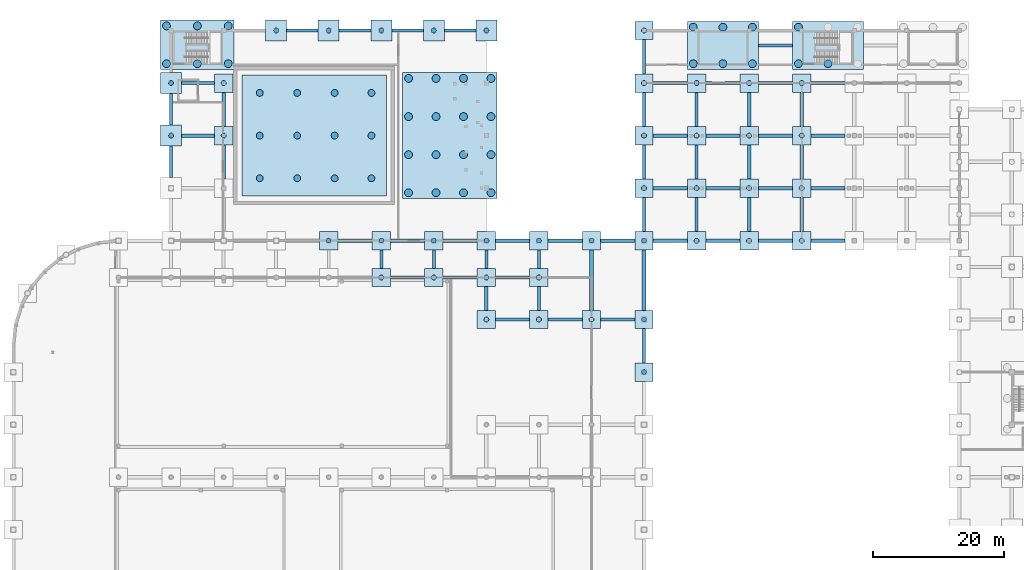
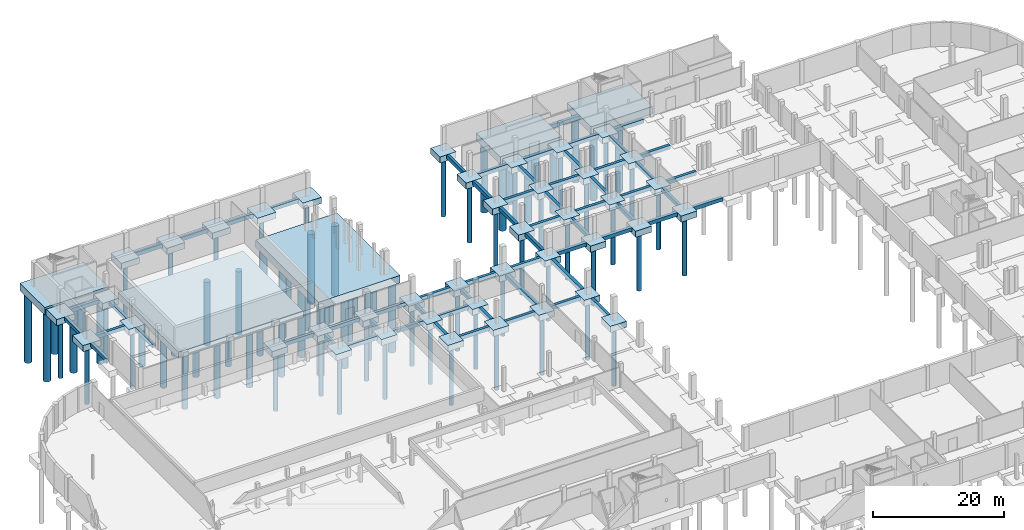
# One storey, part 2 of 29: 107 footings, 84 piles.
"""IFC4 building model written with IfcOpenShell, lengths in metres."""

from ifc_helpers import new_model, si_unit, direction, frame, origin, origin_2d, place, context, subcontext, project, spatial, rectangle, circle, extrude, material, material_profile, profile_set, type_object, element, save


model = new_model("IFC4")

# Units and contexts
model_context = context("Model", 3, precision=1e-05, world=origin(), true_north=direction((0.0, 1.0)))
body_context = subcontext(model_context, "Body", "Model", "MODEL_VIEW")
ifc_project = project(units=[si_unit("LENGTHUNIT", "METRE"), si_unit("AREAUNIT", "SQUARE_METRE"), si_unit("VOLUMEUNIT", "CUBIC_METRE"), si_unit("PLANEANGLEUNIT", "RADIAN"), si_unit("MASSUNIT", "GRAM", prefix="KILO")], contexts=[model_context])

# Site, building, storey
site_placement = place(None, origin())
site = spatial("IfcSite", under=ifc_project, at=site_placement, CompositionType="ELEMENT")
building_placement = place(site_placement, origin())
building = spatial("IfcBuilding", under=site, at=building_placement, Name="Drelvana Railside Aquatics Centre", CompositionType="ELEMENT")
storey_placement = place(building_placement, frame((0.0, 0.0, -4.800048828125)))
storey = spatial("IfcBuildingStorey", under=building, at=storey_placement, Name="B1", CompositionType="ELEMENT", Elevation=-4.800048828125)

# Footings
ifc_material = material(Name="Concrete C35/45", Category="concrete")
ifc_material_profile_1 = material_profile(ifc_material, rectangle(XDim=0.449951171875, YDim=0.64990234375, at=origin_2d()), Name="GB 450x650")
ifc_profile_set_1 = profile_set([ifc_material_profile_1], Name="Concrete C35/45")
footing_type_1 = type_object("IfcFootingType", Name="STR-GB-450x650", PredefinedType="FOOTING_BEAM", material=ifc_profile_set_1)
for number, where, z_axis, x_axis, name in (
    (1, (56.0, 79.800048828125, -0.324951171875), (0.0, 1.0, 0.0), (-1.0, 0.0, 0.0), "Foundation tie beam GB-143"),
    (2, (64.0, 79.800048828125, -0.324951171875), (0.0, 1.0, 0.0), (-1.0, 0.0, 0.0), "Foundation tie beam GB-145"),
    (3, (72.0, 79.800048828125, -0.324951171875), (0.0, 1.0, 0.0), (-1.0, 0.0, 0.0), "Foundation tie beam GB-147"),
    (4, (80.0, 79.800048828125, -0.324951171875), (0.0, 1.0, 0.0), (-1.0, 0.0, 0.0), "Foundation tie beam GB-148"),
):
    element("IfcFooting", number, at=place(storey_placement, frame(where, z_axis=z_axis, x_axis=x_axis)), inside=storey, type_object=footing_type_1, Name=name, PredefinedType="FOOTING_BEAM", context=body_context, shape_type="SweptSolid", body=[
        extrude(rectangle(XDim=0.449951171875, YDim=0.64990234375, at=origin_2d()), origin(), (0.0, 0.0, 1.0), 2.800048828125),
    ])
ifc_material_profile_2 = material_profile(ifc_material, rectangle(XDim=0.5, YDim=0.699951171875, at=origin_2d()), Name="GB 500x700")
ifc_profile_set_2 = profile_set([ifc_material_profile_2], Name="Concrete C35/45")
footing_type_2 = type_object("IfcFootingType", Name="STR-GB-500x700", PredefinedType="FOOTING_BEAM", material=ifc_profile_set_2)
for number, where, z_axis, x_axis, name in (
    (5, (96.0, 65.39990234375, -0.349853515625), (0.0, 1.0, 0.0), (-1.0, 0.0, 0.0), "Foundation tie beam GB-117"),
    (6, (73.39990234375, 72.0, -0.349853515625), (1.0, 0.0, 0.0), (0.0, 1.0, 0.0), "Foundation tie beam GB-125"),
):
    element("IfcFooting", number, at=place(storey_placement, frame(where, z_axis=z_axis, x_axis=x_axis)), inside=storey, type_object=footing_type_2, Name=name, PredefinedType="FOOTING_BEAM", context=body_context, shape_type="SweptSolid", body=[
        extrude(rectangle(XDim=0.5, YDim=0.699951171875, at=origin_2d()), origin(), (0.0, 0.0, 1.0), 5.2001953125),
    ])
footing_1_placement = place(storey_placement, frame((72.0, 73.39990234375, -0.349853515625), z_axis=(0.0, 1.0, 0.0), x_axis=(-1.0, 0.0, 0.0)))
element("IfcFooting", 7, at=footing_1_placement, inside=storey, type_object=footing_type_2, Name="Foundation tie beam GB-126", PredefinedType="FOOTING_BEAM", context=body_context, shape_type="SweptSolid", body=[
    extrude(rectangle(XDim=0.5, YDim=0.699951171875, at=origin_2d()), origin(), (0.0, 0.0, 1.0), 3.60009765625),
])
footing_2_placement = place(storey_placement, frame((81.39990234375, 72.0, -0.349853515625), z_axis=(1.0, 0.0, 0.0), x_axis=(0.0, 1.0, 0.0)))
element("IfcFooting", 8, at=footing_2_placement, inside=storey, type_object=footing_type_2, Name="Foundation tie beam GB-127", PredefinedType="FOOTING_BEAM", context=body_context, shape_type="SweptSolid", body=[
    extrude(rectangle(XDim=0.5, YDim=0.699951171875, at=origin_2d()), origin(), (0.0, 0.0, 1.0), 5.2001953125),
])
footing_3_placement = place(storey_placement, frame((80.0, 73.39990234375, -0.349853515625), z_axis=(0.0, 1.0, 0.0), x_axis=(-1.0, 0.0, 0.0)))
element("IfcFooting", 9, at=footing_3_placement, inside=storey, type_object=footing_type_2, Name="Foundation tie beam GB-128", PredefinedType="FOOTING_BEAM", context=body_context, shape_type="SweptSolid", body=[
    extrude(rectangle(XDim=0.5, YDim=0.699951171875, at=origin_2d()), origin(), (0.0, 0.0, 1.0), 3.60009765625),
])
for number, where, z_axis, x_axis, name in (
    (10, (89.39990234375, 72.0, -0.349853515625), (1.0, 0.0, 0.0), (0.0, 1.0, 0.0), "Foundation tie beam GB-129"),
    (11, (57.39990234375, 78.39990234375, -0.349853515625), (1.0, 0.0, 0.0), (0.0, 1.0, 0.0), "Foundation tie beam GB-142"),
    (12, (65.39990234375, 78.39990234375, -0.349853515625), (1.0, 0.0, 0.0), (0.0, 1.0, 0.0), "Foundation tie beam GB-144"),
    (13, (73.39990234375, 78.39990234375, -0.349853515625), (1.0, 0.0, 0.0), (0.0, 1.0, 0.0), "Foundation tie beam GB-146"),
    (14, (49.39990234375, 84.0, -0.349853515625), (1.0, 0.0, 0.0), (0.0, 1.0, 0.0), "Foundation tie beam GB-161"),
    (15, (57.39990234375, 84.0, -0.349853515625), (1.0, 0.0, 0.0), (0.0, 1.0, 0.0), "Foundation tie beam GB-162"),
    (16, (65.39990234375, 84.0, -0.349853515625), (1.0, 0.0, 0.0), (0.0, 1.0, 0.0), "Foundation tie beam GB-163"),
    (17, (73.39990234375, 84.0, -0.349853515625), (1.0, 0.0, 0.0), (0.0, 1.0, 0.0), "Foundation tie beam GB-164"),
    (18, (81.39990234375, 84.0, -0.349853515625), (1.0, 0.0, 0.0), (0.0, 1.0, 0.0), "Foundation tie beam GB-165"),
    (19, (89.39990234375, 84.0, -0.349853515625), (1.0, 0.0, 0.0), (0.0, 1.0, 0.0), "Foundation tie beam GB-166"),
    (20, (97.39990234375, 84.0, -0.349853515625), (1.0, 0.0, 0.0), (0.0, 1.0, 0.0), "Foundation tie beam GB-167"),
    (21, (96.0, 85.39990234375, -0.349853515625), (0.0, 1.0, 0.0), (-1.0, 0.0, 0.0), "Foundation tie beam GB-168"),
    (22, (105.39990234375, 84.0, -0.349853515625), (1.0, 0.0, 0.0), (0.0, 1.0, 0.0), "Foundation tie beam GB-169"),
    (23, (104.0, 85.39990234375, -0.349853515625), (0.0, 1.0, 0.0), (-1.0, 0.0, 0.0), "Foundation tie beam GB-170"),
    (24, (113.39990234375, 84.0, -0.349853515625), (1.0, 0.0, 0.0), (0.0, 1.0, 0.0), "Foundation tie beam GB-171"),
    (25, (112.0, 85.39990234375, -0.349853515625), (0.0, 1.0, 0.0), (-1.0, 0.0, 0.0), "Foundation tie beam GB-172"),
    (26, (121.39990234375, 84.0, -0.349853515625), (1.0, 0.0, 0.0), (0.0, 1.0, 0.0), "Foundation tie beam GB-173"),
    (27, (120.0, 85.39990234375, -0.349853515625), (0.0, 1.0, 0.0), (-1.0, 0.0, 0.0), "Foundation tie beam GB-174"),
):
    element("IfcFooting", number, at=place(storey_placement, frame(where, z_axis=z_axis, x_axis=x_axis)), inside=storey, type_object=footing_type_2, Name=name, PredefinedType="FOOTING_BEAM", context=body_context, shape_type="SweptSolid", body=[
        extrude(rectangle(XDim=0.5, YDim=0.699951171875, at=origin_2d()), origin(), (0.0, 0.0, 1.0), 5.2001953125),
    ])
footing_4_placement = place(storey_placement, frame((24.0, 93.60009765625, -0.349853515625), z_axis=(0.0, 1.0, 0.0), x_axis=(-1.0, 0.0, 0.0)))
element("IfcFooting", 28, at=footing_4_placement, inside=storey, type_object=footing_type_2, Name="Foundation tie beam GB-187", PredefinedType="FOOTING_BEAM", context=body_context, shape_type="SweptSolid", body=[
    extrude(rectangle(XDim=0.5, YDim=0.699951171875, at=origin_2d()), origin(), (0.0, 0.0, 1.0), 4.7998046875),
])
for number, where, z_axis, x_axis, name in (
    (29, (32.0, 93.39990234375, -0.349853515625), (0.0, 1.0, 0.0), (-1.0, 0.0, 0.0), "Foundation tie beam GB-188"),
    (30, (97.39990234375, 92.0, -0.349853515625), (1.0, 0.0, 0.0), (0.0, 1.0, 0.0), "Foundation tie beam GB-189"),
    (31, (96.0, 93.39990234375, -0.349853515625), (0.0, 1.0, 0.0), (-1.0, 0.0, 0.0), "Foundation tie beam GB-190"),
    (32, (105.39990234375, 92.0, -0.349853515625), (1.0, 0.0, 0.0), (0.0, 1.0, 0.0), "Foundation tie beam GB-191"),
    (33, (104.0, 93.39990234375, -0.349853515625), (0.0, 1.0, 0.0), (-1.0, 0.0, 0.0), "Foundation tie beam GB-192"),
    (34, (113.39990234375, 92.0, -0.349853515625), (1.0, 0.0, 0.0), (0.0, 1.0, 0.0), "Foundation tie beam GB-193"),
    (35, (112.0, 93.39990234375, -0.349853515625), (0.0, 1.0, 0.0), (-1.0, 0.0, 0.0), "Foundation tie beam GB-194"),
    (36, (121.39990234375, 92.0, -0.349853515625), (1.0, 0.0, 0.0), (0.0, 1.0, 0.0), "Foundation tie beam GB-195"),
    (37, (120.0, 93.39990234375, -0.349853515625), (0.0, 1.0, 0.0), (-1.0, 0.0, 0.0), "Foundation tie beam GB-196"),
):
    element("IfcFooting", number, at=place(storey_placement, frame(where, z_axis=z_axis, x_axis=x_axis)), inside=storey, type_object=footing_type_2, Name=name, PredefinedType="FOOTING_BEAM", context=body_context, shape_type="SweptSolid", body=[
        extrude(rectangle(XDim=0.5, YDim=0.699951171875, at=origin_2d()), origin(), (0.0, 0.0, 1.0), 5.2001953125),
    ])
footing_5_placement = place(storey_placement, frame((25.60009765625, 100.0, -0.349853515625), z_axis=(1.0, 0.0, 0.0), x_axis=(0.0, 1.0, 0.0)))
element("IfcFooting", 38, at=footing_5_placement, inside=storey, type_object=footing_type_2, Name="Foundation tie beam GB-207", PredefinedType="FOOTING_BEAM", context=body_context, shape_type="SweptSolid", body=[
    extrude(rectangle(XDim=0.5, YDim=0.699951171875, at=origin_2d()), origin(), (0.0, 0.0, 1.0), 5.0),
])
footing_6_placement = place(storey_placement, frame((24.0, 101.60009765625, -0.349853515625), z_axis=(0.0, 1.0, 0.0), x_axis=(-1.0, 0.0, 0.0)))
element("IfcFooting", 39, at=footing_6_placement, inside=storey, type_object=footing_type_2, Name="Foundation tie beam GB-208", PredefinedType="FOOTING_BEAM", context=body_context, shape_type="SweptSolid", body=[
    extrude(rectangle(XDim=0.5, YDim=0.699951171875, at=origin_2d()), origin(), (0.0, 0.0, 1.0), 4.7998046875),
])
for number, where, z_axis, x_axis, name in (
    (40, (32.0, 101.39990234375, -0.349853515625), (0.0, 1.0, 0.0), (-1.0, 0.0, 0.0), "Foundation tie beam GB-209"),
    (41, (97.39990234375, 100.0, -0.349853515625), (1.0, 0.0, 0.0), (0.0, 1.0, 0.0), "Foundation tie beam GB-210"),
    (42, (96.0, 101.39990234375, -0.349853515625), (0.0, 1.0, 0.0), (-1.0, 0.0, 0.0), "Foundation tie beam GB-211"),
    (43, (105.39990234375, 100.0, -0.349853515625), (1.0, 0.0, 0.0), (0.0, 1.0, 0.0), "Foundation tie beam GB-212"),
    (44, (104.0, 101.39990234375, -0.349853515625), (0.0, 1.0, 0.0), (-1.0, 0.0, 0.0), "Foundation tie beam GB-213"),
    (45, (113.39990234375, 100.0, -0.349853515625), (1.0, 0.0, 0.0), (0.0, 1.0, 0.0), "Foundation tie beam GB-214"),
    (46, (112.0, 101.39990234375, -0.349853515625), (0.0, 1.0, 0.0), (-1.0, 0.0, 0.0), "Foundation tie beam GB-215"),
    (47, (121.39990234375, 100.0, -0.349853515625), (1.0, 0.0, 0.0), (0.0, 1.0, 0.0), "Foundation tie beam GB-216"),
    (48, (120.0, 101.39990234375, -0.349853515625), (0.0, 1.0, 0.0), (-1.0, 0.0, 0.0), "Foundation tie beam GB-217"),
):
    element("IfcFooting", number, at=place(storey_placement, frame(where, z_axis=z_axis, x_axis=x_axis)), inside=storey, type_object=footing_type_2, Name=name, PredefinedType="FOOTING_BEAM", context=body_context, shape_type="SweptSolid", body=[
        extrude(rectangle(XDim=0.5, YDim=0.699951171875, at=origin_2d()), origin(), (0.0, 0.0, 1.0), 5.2001953125),
    ])
footing_7_placement = place(storey_placement, frame((25.60009765625, 108.0, -0.349853515625), z_axis=(1.0, 0.0, 0.0), x_axis=(0.0, 1.0, 0.0)))
element("IfcFooting", 49, at=footing_7_placement, inside=storey, type_object=footing_type_2, Name="Foundation tie beam GB-224", PredefinedType="FOOTING_BEAM", context=body_context, shape_type="SweptSolid", body=[
    extrude(rectangle(XDim=0.5, YDim=0.699951171875, at=origin_2d()), origin(), (0.0, 0.0, 1.0), 5.0),
])
for number, where, z_axis, x_axis, name in (
    (50, (97.39990234375, 108.0, -0.349853515625), (1.0, 0.0, 0.0), (0.0, 1.0, 0.0), "Foundation tie beam GB-225"),
    (51, (96.0, 109.39990234375, -0.349853515625), (0.0, 1.0, 0.0), (-1.0, 0.0, 0.0), "Foundation tie beam GB-226"),
    (52, (105.39990234375, 108.0, -0.349853515625), (1.0, 0.0, 0.0), (0.0, 1.0, 0.0), "Foundation tie beam GB-227"),
    (53, (113.39990234375, 108.0, -0.349853515625), (1.0, 0.0, 0.0), (0.0, 1.0, 0.0), "Foundation tie beam GB-228"),
    (54, (121.39990234375, 108.0, -0.349853515625), (1.0, 0.0, 0.0), (0.0, 1.0, 0.0), "Foundation tie beam GB-229"),
    (55, (113.39990234375, 113.72509765625, -0.349853515625), (1.0, 0.0, 0.0), (0.0, 1.0, 0.0), "Foundation tie beam GB-232"),
):
    element("IfcFooting", number, at=place(storey_placement, frame(where, z_axis=z_axis, x_axis=x_axis)), inside=storey, type_object=footing_type_2, Name=name, PredefinedType="FOOTING_BEAM", context=body_context, shape_type="SweptSolid", body=[
        extrude(rectangle(XDim=0.5, YDim=0.699951171875, at=origin_2d()), origin(), (0.0, 0.0, 1.0), 5.2001953125),
    ])
for number, where, z_axis, x_axis, name in (
    (56, (41.60009765625, 116.0, -0.349853515625), (1.0, 0.0, 0.0), (0.0, 1.0, 0.0), "Foundation tie beam GB-234"),
    (57, (49.60009765625, 116.0, -0.349853515625), (1.0, 0.0, 0.0), (0.0, 1.0, 0.0), "Foundation tie beam GB-235"),
    (58, (57.60009765625, 116.0, -0.349853515625), (1.0, 0.0, 0.0), (0.0, 1.0, 0.0), "Foundation tie beam GB-236"),
    (59, (65.60009765625, 116.0, -0.349853515625), (1.0, 0.0, 0.0), (0.0, 1.0, 0.0), "Foundation tie beam GB-237"),
):
    element("IfcFooting", number, at=place(storey_placement, frame(where, z_axis=z_axis, x_axis=x_axis)), inside=storey, type_object=footing_type_2, Name=name, PredefinedType="FOOTING_BEAM", context=body_context, shape_type="SweptSolid", body=[
        extrude(rectangle(XDim=0.5, YDim=0.699951171875, at=origin_2d()), origin(), (0.0, 0.0, 1.0), 4.7998046875),
    ])
ifc_material_profile_3 = material_profile(ifc_material, rectangle(XDim=0.60009765625, YDim=0.800048828125, at=origin_2d()), Name="GB 600x800")
ifc_profile_set_3 = profile_set([ifc_material_profile_3], Name="Concrete C35/45")
footing_type_3 = type_object("IfcFootingType", Name="STR-GB-600x800", PredefinedType="FOOTING_BEAM", material=ifc_profile_set_3)
for number, where, z_axis, x_axis, name in (
    (60, (88.0, 73.39990234375, -0.39990234375), (0.0, 1.0, 0.0), (-1.0, 0.0, 0.0), "Foundation tie beam GB-130"),
    (61, (96.0, 73.39990234375, -0.39990234375), (0.0, 1.0, 0.0), (-1.0, 0.0, 0.0), "Foundation tie beam GB-131"),
):
    element("IfcFooting", number, at=place(storey_placement, frame(where, z_axis=z_axis, x_axis=x_axis)), inside=storey, type_object=footing_type_3, Name=name, PredefinedType="FOOTING_BEAM", context=body_context, shape_type="SweptSolid", body=[
        extrude(rectangle(XDim=0.60009765625, YDim=0.800048828125, at=origin_2d()), origin(), (0.0, 0.0, 1.0), 9.2001953125),
    ])
footing_type_4 = type_object("IfcFootingType", Name="STR-PC-10800x7350x1400", PredefinedType="PILE_CAP", material=ifc_material)
for number, where, z_axis, x_axis, name in (
    (62, (108.0, 113.72509765625, -1.39990234375), (0.0, 0.0, 1.0), (1.0, 0.0, 0.0), "Combined pile cap PC-188"),
    (63, (124.0, 113.72509765625, -1.39990234375), (0.0, 0.0, 1.0), (1.0, 0.0, 0.0), "Combined pile cap PC-189"),
):
    element("IfcFooting", number, at=place(storey_placement, frame(where, z_axis=z_axis, x_axis=x_axis)), inside=storey, type_object=footing_type_4, Name=name, PredefinedType="PILE_CAP", context=body_context, shape_type="SweptSolid", body=[
        extrude(rectangle(XDim=10.800048828125, YDim=7.35009765625, at=origin_2d()), origin(), (0.0, 0.0, 1.0), 1.39990234375),
    ])
footing_type_5 = type_object("IfcFootingType", Name="STR-PC-11200x7550x1400", PredefinedType="PILE_CAP", material=ifc_material)
footing_8_placement = place(storey_placement, frame((28.0, 113.824951171875, -1.39990234375), z_axis=(0.0, 0.0, 1.0), x_axis=(1.0, 0.0, 0.0)))
element("IfcFooting", 64, at=footing_8_placement, inside=storey, type_object=footing_type_5, Name="Combined pile cap PC-187", PredefinedType="PILE_CAP", context=body_context, shape_type="SweptSolid", body=[
    extrude(rectangle(XDim=11.199951171875, YDim=7.550048828125, at=origin_2d()), origin(), (0.0, 0.0, 1.0), 1.39990234375),
])
footing_type_6 = type_object("IfcFootingType", Name="STR-PC-14350x19200x1400", PredefinedType="PILE_CAP", material=ifc_material)
footing_9_placement = place(storey_placement, frame((66.425048828125, 100.0, -1.39990234375), z_axis=(0.0, 0.0, 1.0), x_axis=(1.0, 0.0, 0.0)))
element("IfcFooting", 65, at=footing_9_placement, inside=storey, type_object=footing_type_6, Name="Combined pile cap PC-151", PredefinedType="PILE_CAP", context=body_context, shape_type="SweptSolid", body=[
    extrude(rectangle(XDim=14.35009765625, YDim=19.199951171875, at=origin_2d()), origin(), (0.0, 0.0, 1.0), 1.39990234375),
])
footing_type_7 = type_object("IfcFootingType", Name="STR-PC-2800x2800x1150", PredefinedType="PILE_CAP", material=ifc_material)
for number, where, z_axis, x_axis, name in (
    (66, (96.0, 64.0, -1.14990234375), (0.0, 0.0, 1.0), (1.0, 0.0, 0.0), "Combined pile cap PC-103"),
    (67, (72.0, 72.0, -1.14990234375), (0.0, 0.0, 1.0), (1.0, 0.0, 0.0), "Combined pile cap PC-109"),
    (68, (80.0, 72.0, -1.14990234375), (0.0, 0.0, 1.0), (1.0, 0.0, 0.0), "Combined pile cap PC-110"),
    (69, (88.0, 72.0, -1.14990234375), (0.0, 0.0, 1.0), (1.0, 0.0, 0.0), "Combined pile cap PC-111"),
    (70, (96.0, 72.0, -1.14990234375), (0.0, 0.0, 1.0), (1.0, 0.0, 0.0), "Combined pile cap PC-112"),
    (71, (56.0, 78.39990234375, -1.14990234375), (0.0, 0.0, 1.0), (1.0, 0.0, 0.0), "Combined pile cap PC-119"),
    (72, (64.0, 78.39990234375, -1.14990234375), (0.0, 0.0, 1.0), (1.0, 0.0, 0.0), "Combined pile cap PC-120"),
    (73, (72.0, 78.39990234375, -1.14990234375), (0.0, 0.0, 1.0), (1.0, 0.0, 0.0), "Combined pile cap PC-121"),
    (74, (80.0, 78.39990234375, -1.14990234375), (0.0, 0.0, 1.0), (1.0, 0.0, 0.0), "Combined pile cap PC-122"),
    (75, (48.0, 84.0, -1.14990234375), (0.0, 0.0, 1.0), (1.0, 0.0, 0.0), "Combined pile cap PC-132"),
    (76, (56.0, 84.0, -1.14990234375), (0.0, 0.0, 1.0), (1.0, 0.0, 0.0), "Combined pile cap PC-133"),
    (77, (64.0, 84.0, -1.14990234375), (0.0, 0.0, 1.0), (1.0, 0.0, 0.0), "Combined pile cap PC-134"),
    (78, (72.0, 84.0, -1.14990234375), (0.0, 0.0, 1.0), (1.0, 0.0, 0.0), "Combined pile cap PC-135"),
    (79, (80.0, 84.0, -1.14990234375), (0.0, 0.0, 1.0), (1.0, 0.0, 0.0), "Combined pile cap PC-136"),
    (80, (88.0, 84.0, -1.14990234375), (0.0, 0.0, 1.0), (1.0, 0.0, 0.0), "Combined pile cap PC-137"),
    (81, (96.0, 84.0, -1.14990234375), (0.0, 0.0, 1.0), (1.0, 0.0, 0.0), "Combined pile cap PC-138"),
    (82, (104.0, 84.0, -1.14990234375), (0.0, 0.0, 1.0), (1.0, 0.0, 0.0), "Combined pile cap PC-139"),
    (83, (112.0, 84.0, -1.14990234375), (0.0, 0.0, 1.0), (1.0, 0.0, 0.0), "Combined pile cap PC-140"),
    (84, (120.0, 84.0, -1.14990234375), (0.0, 0.0, 1.0), (1.0, 0.0, 0.0), "Combined pile cap PC-141"),
    (85, (96.0, 92.0, -1.14990234375), (0.0, 0.0, 1.0), (1.0, 0.0, 0.0), "Combined pile cap PC-153"),
    (86, (104.0, 92.0, -1.14990234375), (0.0, 0.0, 1.0), (1.0, 0.0, 0.0), "Combined pile cap PC-154"),
    (87, (112.0, 92.0, -1.14990234375), (0.0, 0.0, 1.0), (1.0, 0.0, 0.0), "Combined pile cap PC-155"),
    (88, (120.0, 92.0, -1.14990234375), (0.0, 0.0, 1.0), (1.0, 0.0, 0.0), "Combined pile cap PC-156"),
    (89, (32.0, 100.0, -1.14990234375), (0.0, 0.0, 1.0), (1.0, 0.0, 0.0), "Combined pile cap PC-166"),
    (90, (96.0, 100.0, -1.14990234375), (0.0, 0.0, 1.0), (1.0, 0.0, 0.0), "Combined pile cap PC-167"),
    (91, (104.0, 100.0, -1.14990234375), (0.0, 0.0, 1.0), (1.0, 0.0, 0.0), "Combined pile cap PC-168"),
    (92, (112.0, 100.0, -1.14990234375), (0.0, 0.0, 1.0), (1.0, 0.0, 0.0), "Combined pile cap PC-169"),
    (93, (120.0, 100.0, -1.14990234375), (0.0, 0.0, 1.0), (1.0, 0.0, 0.0), "Combined pile cap PC-170"),
    (94, (32.0, 108.0, -1.14990234375), (0.0, 0.0, 1.0), (1.0, 0.0, 0.0), "Combined pile cap PC-179"),
    (95, (96.0, 108.0, -1.14990234375), (0.0, 0.0, 1.0), (1.0, 0.0, 0.0), "Combined pile cap PC-180"),
    (96, (104.0, 108.0, -1.14990234375), (0.0, 0.0, 1.0), (1.0, 0.0, 0.0), "Combined pile cap PC-181"),
    (97, (112.0, 108.0, -1.14990234375), (0.0, 0.0, 1.0), (1.0, 0.0, 0.0), "Combined pile cap PC-182"),
    (98, (120.0, 108.0, -1.14990234375), (0.0, 0.0, 1.0), (1.0, 0.0, 0.0), "Combined pile cap PC-183"),
    (99, (96.0, 116.0, -1.14990234375), (0.0, 0.0, 1.0), (1.0, 0.0, 0.0), "Combined pile cap PC-196"),
):
    element("IfcFooting", number, at=place(storey_placement, frame(where, z_axis=z_axis, x_axis=x_axis)), inside=storey, type_object=footing_type_7, Name=name, PredefinedType="PILE_CAP", context=body_context, shape_type="SweptSolid", body=[
        extrude(rectangle(XDim=2.800048828125, YDim=2.800048828125, at=origin_2d()), origin(), (0.0, 0.0, 1.0), 1.14990234375),
    ])
footing_type_8 = type_object("IfcFootingType", Name="STR-PC-3200x3200x1150", PredefinedType="PILE_CAP", material=ifc_material)
for number, where, z_axis, x_axis, name in (
    (100, (24.0, 100.0, -1.14990234375), (0.0, 0.0, 1.0), (1.0, 0.0, 0.0), "Combined pile cap PC-165"),
    (101, (24.0, 108.0, -1.14990234375), (0.0, 0.0, 1.0), (1.0, 0.0, 0.0), "Combined pile cap PC-178"),
    (102, (40.0, 116.0, -1.14990234375), (0.0, 0.0, 1.0), (1.0, 0.0, 0.0), "Combined pile cap PC-191"),
    (103, (48.0, 116.0, -1.14990234375), (0.0, 0.0, 1.0), (1.0, 0.0, 0.0), "Combined pile cap PC-192"),
    (104, (56.0, 116.0, -1.14990234375), (0.0, 0.0, 1.0), (1.0, 0.0, 0.0), "Combined pile cap PC-193"),
    (105, (64.0, 116.0, -1.14990234375), (0.0, 0.0, 1.0), (1.0, 0.0, 0.0), "Combined pile cap PC-194"),
    (106, (72.0, 116.0, -1.14990234375), (0.0, 0.0, 1.0), (1.0, 0.0, 0.0), "Combined pile cap PC-195"),
):
    element("IfcFooting", number, at=place(storey_placement, frame(where, z_axis=z_axis, x_axis=x_axis)), inside=storey, type_object=footing_type_8, Name=name, PredefinedType="PILE_CAP", context=body_context, shape_type="SweptSolid", body=[
        extrude(rectangle(XDim=3.199951171875, YDim=3.199951171875, at=origin_2d()), origin(), (0.0, 0.0, 1.0), 1.14990234375),
    ])
footing_type_9 = type_object("IfcFootingType", Name="STR-PC-DIVE-PIT", PredefinedType="PILE_CAP", material=ifc_material)
footing_10_placement = place(storey_placement, frame((45.800048828125, 100.0, -2.14990234375), z_axis=(0.0, 0.0, 1.0), x_axis=(1.0, 0.0, 0.0)))
element("IfcFooting", 107, at=footing_10_placement, inside=storey, type_object=footing_type_9, Name="Diving well piled raft cap PC-DVP", PredefinedType="PILE_CAP", context=body_context, shape_type="SweptSolid", body=[
    extrude(rectangle(XDim=22.0, YDim=18.39990234375, at=origin_2d()), origin(), (0.0, 0.0, 1.0), 1.199951171875),
])

# Piles
ifc_material_profile_4 = material_profile(ifc_material, circle(Radius=0.52490234375, at=origin_2d()), Name="PILE D1050")
ifc_profile_set_4 = profile_set([ifc_material_profile_4], Name="Concrete C35/45")
pile_type_1 = type_object("IfcPileType", Name="STR-PILE-1050", PredefinedType="BORED", material=ifc_profile_set_4)
for number, where, z_axis, x_axis, name in (
    (108, (37.5, 93.5, -2.050048828125), (0.0, 0.0, -1.0), (1.0, 0.0, 0.0), "Diving pit bored pile PL-DV-01"),
    (109, (37.5, 100.0, -2.050048828125), (0.0, 0.0, -1.0), (1.0, 0.0, 0.0), "Diving pit bored pile PL-DV-02"),
    (110, (37.5, 106.5, -2.050048828125), (0.0, 0.0, -1.0), (1.0, 0.0, 0.0), "Diving pit bored pile PL-DV-03"),
    (111, (43.199951171875, 93.5, -2.050048828125), (0.0, 0.0, -1.0), (1.0, 0.0, 0.0), "Diving pit bored pile PL-DV-04"),
    (112, (43.199951171875, 100.0, -2.050048828125), (0.0, 0.0, -1.0), (1.0, 0.0, 0.0), "Diving pit bored pile PL-DV-05"),
    (113, (43.199951171875, 106.5, -2.050048828125), (0.0, 0.0, -1.0), (1.0, 0.0, 0.0), "Diving pit bored pile PL-DV-06"),
    (114, (48.89990234375, 93.5, -2.050048828125), (0.0, 0.0, -1.0), (1.0, 0.0, 0.0), "Diving pit bored pile PL-DV-07"),
    (115, (48.89990234375, 100.0, -2.050048828125), (0.0, 0.0, -1.0), (1.0, 0.0, 0.0), "Diving pit bored pile PL-DV-08"),
    (116, (48.89990234375, 106.5, -2.050048828125), (0.0, 0.0, -1.0), (1.0, 0.0, 0.0), "Diving pit bored pile PL-DV-09"),
    (117, (54.5, 93.5, -2.050048828125), (0.0, 0.0, -1.0), (1.0, 0.0, 0.0), "Diving pit bored pile PL-DV-10"),
    (118, (54.5, 100.0, -2.050048828125), (0.0, 0.0, -1.0), (1.0, 0.0, 0.0), "Diving pit bored pile PL-DV-11"),
    (119, (54.5, 106.5, -2.050048828125), (0.0, 0.0, -1.0), (1.0, 0.0, 0.0), "Diving pit bored pile PL-DV-12"),
):
    element("IfcPile", number, at=place(storey_placement, frame(where, z_axis=z_axis, x_axis=x_axis)), inside=storey, type_object=pile_type_1, Name=name, PredefinedType="BORED", context=body_context, shape_type="SweptSolid", body=[
        extrude(circle(Radius=0.52490234375, at=origin_2d()), origin(), (0.0, 0.0, 1.0), 11.800048828125),
    ])
ifc_material_profile_5 = material_profile(ifc_material, circle(Radius=0.60009765625, at=origin_2d()), Name="PILE D1200")
ifc_profile_set_5 = profile_set([ifc_material_profile_5], Name="Concrete C35/45")
pile_type_2 = type_object("IfcPileType", Name="STR-PILE-1200", PredefinedType="BORED", material=ifc_profile_set_5)
for number, where, z_axis, x_axis, name in (
    (120, (60.14990234375, 91.300048828125, -1.300048828125), (0.0, 0.0, -1.0), (1.0, 0.0, 0.0), "Bored pile PL-151-01"),
    (121, (60.14990234375, 97.10009765625, -1.300048828125), (0.0, 0.0, -1.0), (1.0, 0.0, 0.0), "Bored pile PL-151-02"),
    (122, (60.14990234375, 102.89990234375, -1.300048828125), (0.0, 0.0, -1.0), (1.0, 0.0, 0.0), "Bored pile PL-151-03"),
    (123, (60.14990234375, 108.699951171875, -1.300048828125), (0.0, 0.0, -1.0), (1.0, 0.0, 0.0), "Bored pile PL-151-04"),
    (124, (64.333251953125, 91.300048828125, -1.300048828125), (0.0, 0.0, -1.0), (1.0, 0.0, 0.0), "Bored pile PL-151-05"),
    (125, (64.333251953125, 97.10009765625, -1.300048828125), (0.0, 0.0, -1.0), (1.0, 0.0, 0.0), "Bored pile PL-151-06"),
    (126, (64.333251953125, 102.89990234375, -1.300048828125), (0.0, 0.0, -1.0), (1.0, 0.0, 0.0), "Bored pile PL-151-07"),
    (127, (64.333251953125, 108.699951171875, -1.300048828125), (0.0, 0.0, -1.0), (1.0, 0.0, 0.0), "Bored pile PL-151-08"),
    (128, (68.5166015625, 91.300048828125, -1.300048828125), (0.0, 0.0, -1.0), (1.0, 0.0, 0.0), "Bored pile PL-151-09"),
    (129, (68.5166015625, 97.10009765625, -1.300048828125), (0.0, 0.0, -1.0), (1.0, 0.0, 0.0), "Bored pile PL-151-10"),
    (130, (68.5166015625, 102.89990234375, -1.300048828125), (0.0, 0.0, -1.0), (1.0, 0.0, 0.0), "Bored pile PL-151-11"),
    (131, (68.5166015625, 108.699951171875, -1.300048828125), (0.0, 0.0, -1.0), (1.0, 0.0, 0.0), "Bored pile PL-151-12"),
    (132, (72.699951171875, 91.300048828125, -1.300048828125), (0.0, 0.0, -1.0), (1.0, 0.0, 0.0), "Bored pile PL-151-13"),
    (133, (72.699951171875, 97.10009765625, -1.300048828125), (0.0, 0.0, -1.0), (1.0, 0.0, 0.0), "Bored pile PL-151-14"),
    (134, (72.699951171875, 102.89990234375, -1.300048828125), (0.0, 0.0, -1.0), (1.0, 0.0, 0.0), "Bored pile PL-151-15"),
    (135, (72.699951171875, 108.699951171875, -1.300048828125), (0.0, 0.0, -1.0), (1.0, 0.0, 0.0), "Bored pile PL-151-16"),
    (136, (23.300048828125, 110.949951171875, -1.300048828125), (0.0, 0.0, -1.0), (1.0, 0.0, 0.0), "Bored pile PL-187-01"),
    (137, (23.300048828125, 116.699951171875, -1.300048828125), (0.0, 0.0, -1.0), (1.0, 0.0, 0.0), "Bored pile PL-187-02"),
    (138, (28.0, 110.949951171875, -1.300048828125), (0.0, 0.0, -1.0), (1.0, 0.0, 0.0), "Bored pile PL-187-03"),
    (139, (28.0, 116.699951171875, -1.300048828125), (0.0, 0.0, -1.0), (1.0, 0.0, 0.0), "Bored pile PL-187-04"),
    (140, (32.699951171875, 110.949951171875, -1.300048828125), (0.0, 0.0, -1.0), (1.0, 0.0, 0.0), "Bored pile PL-187-05"),
    (141, (32.699951171875, 116.699951171875, -1.300048828125), (0.0, 0.0, -1.0), (1.0, 0.0, 0.0), "Bored pile PL-187-06"),
    (142, (103.5, 110.949951171875, -1.300048828125), (0.0, 0.0, -1.0), (1.0, 0.0, 0.0), "Bored pile PL-188-01"),
    (143, (103.5, 116.5, -1.300048828125), (0.0, 0.0, -1.0), (1.0, 0.0, 0.0), "Bored pile PL-188-02"),
    (144, (108.0, 110.949951171875, -1.300048828125), (0.0, 0.0, -1.0), (1.0, 0.0, 0.0), "Bored pile PL-188-03"),
    (145, (108.0, 116.5, -1.300048828125), (0.0, 0.0, -1.0), (1.0, 0.0, 0.0), "Bored pile PL-188-04"),
    (146, (112.5, 110.949951171875, -1.300048828125), (0.0, 0.0, -1.0), (1.0, 0.0, 0.0), "Bored pile PL-188-05"),
    (147, (112.5, 116.5, -1.300048828125), (0.0, 0.0, -1.0), (1.0, 0.0, 0.0), "Bored pile PL-188-06"),
    (148, (119.5, 110.949951171875, -1.300048828125), (0.0, 0.0, -1.0), (1.0, 0.0, 0.0), "Bored pile PL-189-01"),
    (149, (119.5, 116.5, -1.300048828125), (0.0, 0.0, -1.0), (1.0, 0.0, 0.0), "Bored pile PL-189-02"),
    (150, (124.0, 110.949951171875, -1.300048828125), (0.0, 0.0, -1.0), (1.0, 0.0, 0.0), "Bored pile PL-189-03"),
):
    element("IfcPile", number, at=place(storey_placement, frame(where, z_axis=z_axis, x_axis=x_axis)), inside=storey, type_object=pile_type_2, Name=name, PredefinedType="BORED", context=body_context, shape_type="SweptSolid", body=[
        extrude(circle(Radius=0.60009765625, at=origin_2d()), origin(), (0.0, 0.0, 1.0), 13.0),
    ])
ifc_material_profile_6 = material_profile(ifc_material, circle(Radius=0.375, at=origin_2d()), Name="PILE D750")
ifc_profile_set_6 = profile_set([ifc_material_profile_6], Name="Concrete C35/45")
pile_type_3 = type_object("IfcPileType", Name="STR-PILE-750", PredefinedType="BORED", material=ifc_profile_set_6)
for number, where, z_axis, x_axis, name in (
    (151, (96.0, 64.0, -1.050048828125), (0.0, 0.0, -1.0), (1.0, 0.0, 0.0), "Bored pile PL-103-01"),
    (152, (72.0, 72.0, -1.050048828125), (0.0, 0.0, -1.0), (1.0, 0.0, 0.0), "Bored pile PL-109-01"),
    (153, (80.0, 72.0, -1.050048828125), (0.0, 0.0, -1.0), (1.0, 0.0, 0.0), "Bored pile PL-110-01"),
    (154, (88.0, 72.0, -1.050048828125), (0.0, 0.0, -1.0), (1.0, 0.0, 0.0), "Bored pile PL-111-01"),
    (155, (96.0, 72.0, -1.050048828125), (0.0, 0.0, -1.0), (1.0, 0.0, 0.0), "Bored pile PL-112-01"),
    (156, (56.0, 78.39990234375, -1.050048828125), (0.0, 0.0, -1.0), (1.0, 0.0, 0.0), "Bored pile PL-119-01"),
    (157, (64.0, 78.39990234375, -1.050048828125), (0.0, 0.0, -1.0), (1.0, 0.0, 0.0), "Bored pile PL-120-01"),
    (158, (72.0, 78.39990234375, -1.050048828125), (0.0, 0.0, -1.0), (1.0, 0.0, 0.0), "Bored pile PL-121-01"),
    (159, (80.0, 78.39990234375, -1.050048828125), (0.0, 0.0, -1.0), (1.0, 0.0, 0.0), "Bored pile PL-122-01"),
    (160, (48.0, 84.0, -1.050048828125), (0.0, 0.0, -1.0), (1.0, 0.0, 0.0), "Bored pile PL-132-01"),
    (161, (56.0, 84.0, -1.050048828125), (0.0, 0.0, -1.0), (1.0, 0.0, 0.0), "Bored pile PL-133-01"),
    (162, (64.0, 84.0, -1.050048828125), (0.0, 0.0, -1.0), (1.0, 0.0, 0.0), "Bored pile PL-134-01"),
    (163, (72.0, 84.0, -1.050048828125), (0.0, 0.0, -1.0), (1.0, 0.0, 0.0), "Bored pile PL-135-01"),
    (164, (80.0, 84.0, -1.050048828125), (0.0, 0.0, -1.0), (1.0, 0.0, 0.0), "Bored pile PL-136-01"),
    (165, (88.0, 84.0, -1.050048828125), (0.0, 0.0, -1.0), (1.0, 0.0, 0.0), "Bored pile PL-137-01"),
    (166, (96.0, 84.0, -1.050048828125), (0.0, 0.0, -1.0), (1.0, 0.0, 0.0), "Bored pile PL-138-01"),
    (167, (104.0, 84.0, -1.050048828125), (0.0, 0.0, -1.0), (1.0, 0.0, 0.0), "Bored pile PL-139-01"),
    (168, (112.0, 84.0, -1.050048828125), (0.0, 0.0, -1.0), (1.0, 0.0, 0.0), "Bored pile PL-140-01"),
    (169, (120.0, 84.0, -1.050048828125), (0.0, 0.0, -1.0), (1.0, 0.0, 0.0), "Bored pile PL-141-01"),
    (170, (96.0, 92.0, -1.050048828125), (0.0, 0.0, -1.0), (1.0, 0.0, 0.0), "Bored pile PL-153-01"),
    (171, (104.0, 92.0, -1.050048828125), (0.0, 0.0, -1.0), (1.0, 0.0, 0.0), "Bored pile PL-154-01"),
    (172, (112.0, 92.0, -1.050048828125), (0.0, 0.0, -1.0), (1.0, 0.0, 0.0), "Bored pile PL-155-01"),
    (173, (120.0, 92.0, -1.050048828125), (0.0, 0.0, -1.0), (1.0, 0.0, 0.0), "Bored pile PL-156-01"),
    (174, (24.0, 100.0, -1.050048828125), (0.0, 0.0, -1.0), (1.0, 0.0, 0.0), "Bored pile PL-165-01"),
    (175, (32.0, 100.0, -1.050048828125), (0.0, 0.0, -1.0), (1.0, 0.0, 0.0), "Bored pile PL-166-01"),
    (176, (96.0, 100.0, -1.050048828125), (0.0, 0.0, -1.0), (1.0, 0.0, 0.0), "Bored pile PL-167-01"),
    (177, (104.0, 100.0, -1.050048828125), (0.0, 0.0, -1.0), (1.0, 0.0, 0.0), "Bored pile PL-168-01"),
    (178, (112.0, 100.0, -1.050048828125), (0.0, 0.0, -1.0), (1.0, 0.0, 0.0), "Bored pile PL-169-01"),
    (179, (120.0, 100.0, -1.050048828125), (0.0, 0.0, -1.0), (1.0, 0.0, 0.0), "Bored pile PL-170-01"),
    (180, (24.0, 108.0, -1.050048828125), (0.0, 0.0, -1.0), (1.0, 0.0, 0.0), "Bored pile PL-178-01"),
    (181, (32.0, 108.0, -1.050048828125), (0.0, 0.0, -1.0), (1.0, 0.0, 0.0), "Bored pile PL-179-01"),
    (182, (96.0, 108.0, -1.050048828125), (0.0, 0.0, -1.0), (1.0, 0.0, 0.0), "Bored pile PL-180-01"),
    (183, (104.0, 108.0, -1.050048828125), (0.0, 0.0, -1.0), (1.0, 0.0, 0.0), "Bored pile PL-181-01"),
    (184, (112.0, 108.0, -1.050048828125), (0.0, 0.0, -1.0), (1.0, 0.0, 0.0), "Bored pile PL-182-01"),
    (185, (120.0, 108.0, -1.050048828125), (0.0, 0.0, -1.0), (1.0, 0.0, 0.0), "Bored pile PL-183-01"),
    (186, (40.0, 116.0, -1.050048828125), (0.0, 0.0, -1.0), (1.0, 0.0, 0.0), "Bored pile PL-191-01"),
    (187, (48.0, 116.0, -1.050048828125), (0.0, 0.0, -1.0), (1.0, 0.0, 0.0), "Bored pile PL-192-01"),
    (188, (56.0, 116.0, -1.050048828125), (0.0, 0.0, -1.0), (1.0, 0.0, 0.0), "Bored pile PL-193-01"),
    (189, (64.0, 116.0, -1.050048828125), (0.0, 0.0, -1.0), (1.0, 0.0, 0.0), "Bored pile PL-194-01"),
    (190, (72.0, 116.0, -1.050048828125), (0.0, 0.0, -1.0), (1.0, 0.0, 0.0), "Bored pile PL-195-01"),
    (191, (96.0, 116.0, -1.050048828125), (0.0, 0.0, -1.0), (1.0, 0.0, 0.0), "Bored pile PL-196-01"),
):
    element("IfcPile", number, at=place(storey_placement, frame(where, z_axis=z_axis, x_axis=x_axis)), inside=storey, type_object=pile_type_3, Name=name, PredefinedType="BORED", context=body_context, shape_type="SweptSolid", body=[
        extrude(circle(Radius=0.375, at=origin_2d()), origin(), (0.0, 0.0, 1.0), 11.199951171875),
    ])

save(model, "model.ifc")
